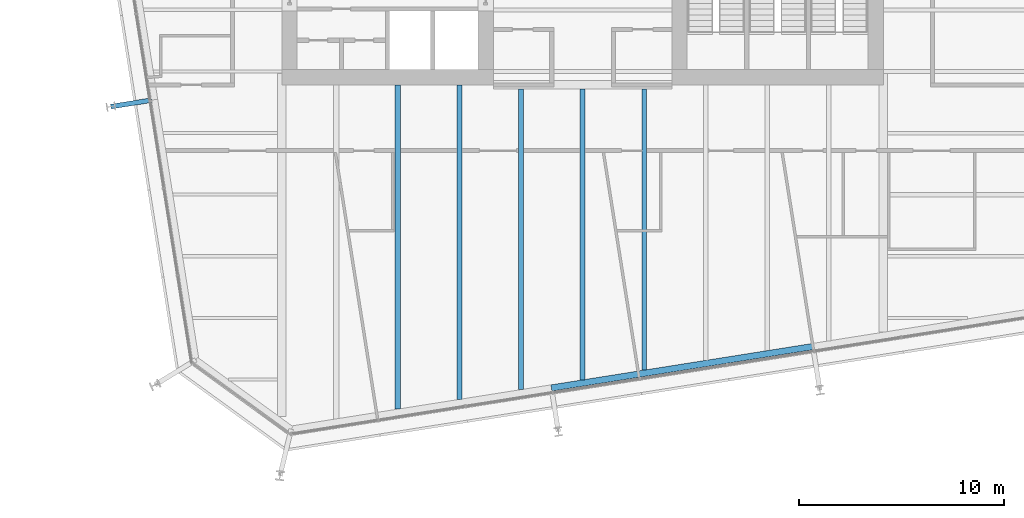
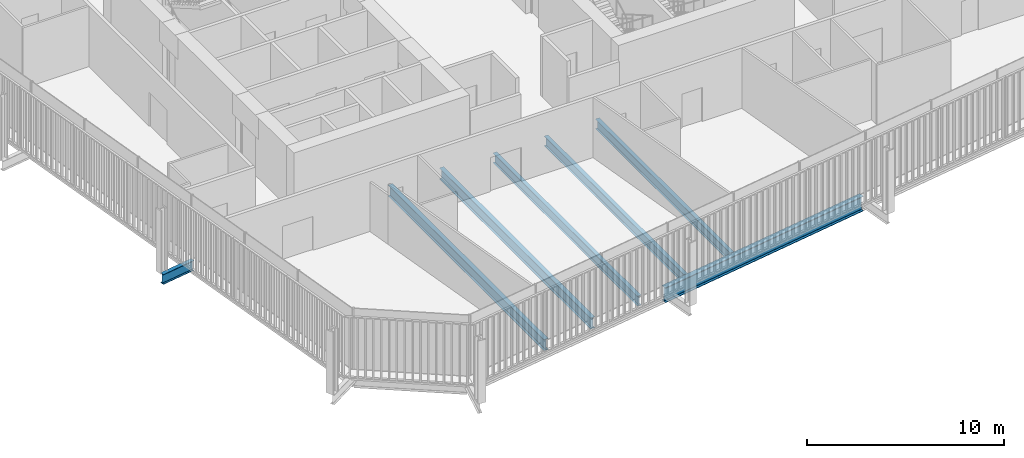
# One storey, part 3 of 21: 7 beams.
"""IFC4 building model written with IfcOpenShell, lengths in metres."""

from ifc_helpers import new_model, si_unit, direction, frame, origin, origin_2d, place, context, subcontext, project, spatial, i_section, extrude, material, material_profile, profile_set, type_object, element, save


model = new_model("IFC4")

# Units and contexts
model_context = context("Model", 3, precision=1e-05, world=origin(), true_north=direction((0.0, 1.0)))
body_context = subcontext(model_context, "Body", "Model", "MODEL_VIEW")
ifc_project = project(units=[si_unit("LENGTHUNIT", "METRE"), si_unit("AREAUNIT", "SQUARE_METRE"), si_unit("VOLUMEUNIT", "CUBIC_METRE"), si_unit("PLANEANGLEUNIT", "RADIAN"), si_unit("MASSUNIT", "GRAM", prefix="KILO")], contexts=[model_context])

# Site, building, storey
site_placement = place(None, origin())
site = spatial("IfcSite", under=ifc_project, at=site_placement, CompositionType="ELEMENT")
building_placement = place(site_placement, origin())
building = spatial("IfcBuilding", under=site, at=building_placement, Name="Millrace Tower", CompositionType="ELEMENT")
storey_placement = place(building_placement, frame((0.0, 0.0, 164.60009765625)))
storey = spatial("IfcBuildingStorey", under=building, at=storey_placement, Name="L37", CompositionType="ELEMENT", Elevation=164.60009765625)

# Beams
ifc_material_1 = material(Name="Steel ASTM A992 Grade 50", Category="steel")
ifc_material_profile_1 = material_profile(ifc_material_1, i_section(OverallWidth=0.228271484375, OverallDepth=0.607177734375, WebThickness=0.01123046875, FlangeThickness=0.017333984375, FilletRadius=0.0126953125, at=origin_2d()))
ifc_profile_set_1 = profile_set([ifc_material_profile_1], Name="Steel ASTM A992 Grade 50")
beam_type_1 = type_object("IfcBeamType", Name="Floor beam W24x76", PredefinedType="JOIST", material=ifc_profile_set_1)
beam_1_placement = place(storey_placement, frame((-3.0, -24.4970703125, -0.463623046875), z_axis=(0.0, 1.0, 0.0), x_axis=(-1.0, 0.0, 0.0)))
element("IfcBeam", 1, at=beam_1_placement, inside=storey, type_object=beam_type_1, Name="BM-C-L37-S1-S046", PredefinedType="JOIST", context=body_context, shape_type="SweptSolid", body=[
    extrude(i_section(OverallWidth=0.228271484375, OverallDepth=0.607177734375, WebThickness=0.01123046875, FlangeThickness=0.017333984375, FilletRadius=0.0126953125, at=origin_2d()), origin(), (0.0, 0.0, 1.0), 14.637451171875),
])
beam_2_placement = place(storey_placement, frame((0.0, -24.021728515625, -0.463623046875), z_axis=(0.0, 1.0, 0.0), x_axis=(-1.0, 0.0, 0.0)))
element("IfcBeam", 2, at=beam_2_placement, inside=storey, type_object=beam_type_1, Name="BM-C-L37-S1-S048", PredefinedType="JOIST", context=body_context, shape_type="SweptSolid", body=[
    extrude(i_section(OverallWidth=0.228271484375, OverallDepth=0.607177734375, WebThickness=0.01123046875, FlangeThickness=0.017333984375, FilletRadius=0.0126953125, at=origin_2d()), origin(), (0.0, 0.0, 1.0), 14.162109375),
])
beam_3_placement = place(storey_placement, frame((3.0, -23.546630859375, -0.463623046875), z_axis=(0.0, 1.0, 0.0), x_axis=(-1.0, 0.0, 0.0)))
element("IfcBeam", 3, at=beam_3_placement, inside=storey, type_object=beam_type_1, Name="BM-C-L37-S1-S050", PredefinedType="JOIST", context=body_context, shape_type="SweptSolid", body=[
    extrude(i_section(OverallWidth=0.228271484375, OverallDepth=0.607177734375, WebThickness=0.01123046875, FlangeThickness=0.017333984375, FilletRadius=0.0126953125, at=origin_2d()), origin(), (0.0, 0.0, 1.0), 13.68701171875),
])
ifc_material_2 = material(Name="Steel ASTM A992 Grade 50", Category="steel")
ifc_material_profile_2 = material_profile(ifc_material_2, i_section(OverallWidth=0.256591796875, OverallDepth=0.693359375, WebThickness=0.014404296875, FlangeThickness=0.023681640625, FilletRadius=0.01513671875, at=origin_2d()))
ifc_profile_set_2 = profile_set([ifc_material_profile_2], Name="Steel ASTM A992 Grade 50")
beam_type_2 = type_object("IfcBeamType", Name="Floor beam W27x114", PredefinedType="JOIST", material=ifc_profile_set_2)
beam_4_placement = place(storey_placement, frame((-9.0, -25.447265625, -0.5068359375), z_axis=(0.0, 1.0, 0.0), x_axis=(-1.0, 0.0, 0.0)))
element("IfcBeam", 4, at=beam_4_placement, inside=storey, type_object=beam_type_2, Name="BM-C-L37-S1-S042", PredefinedType="JOIST", context=body_context, shape_type="SweptSolid", body=[
    extrude(i_section(OverallWidth=0.256591796875, OverallDepth=0.693359375, WebThickness=0.014404296875, FlangeThickness=0.023681640625, FilletRadius=0.01513671875, at=origin_2d()), origin(), (0.0, 0.0, 1.0), 15.79736328125),
])
beam_5_placement = place(storey_placement, frame((-6.0, -24.97216796875, -0.5068359375), z_axis=(0.0, 1.0, 0.0), x_axis=(-1.0, 0.0, 0.0)))
element("IfcBeam", 5, at=beam_5_placement, inside=storey, type_object=beam_type_2, Name="BM-C-L37-S1-S044", PredefinedType="JOIST", context=body_context, shape_type="SweptSolid", body=[
    extrude(i_section(OverallWidth=0.256591796875, OverallDepth=0.693359375, WebThickness=0.014404296875, FlangeThickness=0.023681640625, FilletRadius=0.01513671875, at=origin_2d()), origin(), (0.0, 0.0, 1.0), 15.322265625),
])
ifc_material_3 = material(Name="Steel ASTM A992 Grade 50", Category="steel")
ifc_material_profile_3 = material_profile(ifc_material_3, i_section(OverallWidth=0.23046875, OverallDepth=0.6171875, WebThickness=0.01318359375, FlangeThickness=0.022216796875, FilletRadius=0.012939453125, at=origin_2d()))
ifc_profile_set_3 = profile_set([ifc_material_profile_3], Name="Steel ASTM A992 Grade 50")
beam_type_3 = type_object("IfcBeamType", Name="Link beam W24x94", PredefinedType="BEAM", material=ifc_profile_set_3)
beam_6_placement = place(storey_placement, frame((-21.001708984375, -10.396728515625, -0.46875), z_axis=(-0.987678691416, -0.156495375404, 0.0), x_axis=(0.156495375404, -0.987678691416, 0.0)))
element("IfcBeam", 6, at=beam_6_placement, inside=storey, type_object=beam_type_3, Name="LNK-C-L37-S1-02", PredefinedType="BEAM", context=body_context, shape_type="SweptSolid", body=[
    extrude(i_section(OverallWidth=0.23046875, OverallDepth=0.6171875, WebThickness=0.01318359375, FlangeThickness=0.022216796875, FilletRadius=0.012939453125, at=origin_2d()), origin(), (0.0, 0.0, 1.0), 2.0),
])
ifc_material_4 = material(Name="Steel ASTM A992 Grade 50", Category="steel")
ifc_material_profile_4 = material_profile(ifc_material_4, i_section(OverallWidth=0.307373046875, OverallDepth=0.927001953125, WebThickness=0.01953125, FlangeThickness=0.031982421875, FilletRadius=0.01904296875, at=origin_2d()))
ifc_profile_set_4 = profile_set([ifc_material_profile_4], Name="Steel ASTM A992 Grade 50")
beam_type_4 = type_object("IfcBeamType", Name="Ring beam medium span W36x194", PredefinedType="SPANDREL", material=ifc_profile_set_4)
beam_7_placement = place(storey_placement, frame((11.22265625, -22.39990234375, -0.62353515625), z_axis=(-0.987687196578, -0.156441687909, 0.0), x_axis=(0.156441687909, -0.987687196578, 0.0)))
element("IfcBeam", 7, at=beam_7_placement, inside=storey, type_object=beam_type_4, Name="RNG-C-L37-S1-14", PredefinedType="SPANDREL", context=body_context, shape_type="SweptSolid", body=[
    extrude(i_section(OverallWidth=0.307373046875, OverallDepth=0.927001953125, WebThickness=0.01953125, FlangeThickness=0.031982421875, FilletRadius=0.01904296875, at=origin_2d()), origin(), (0.0, 0.0, 1.0), 12.89990234375),
])

save(model, "model.ifc")
